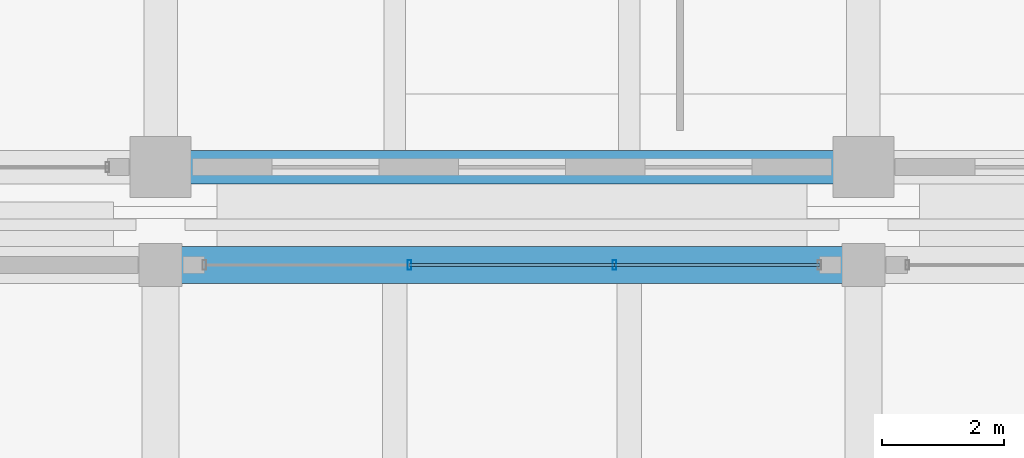
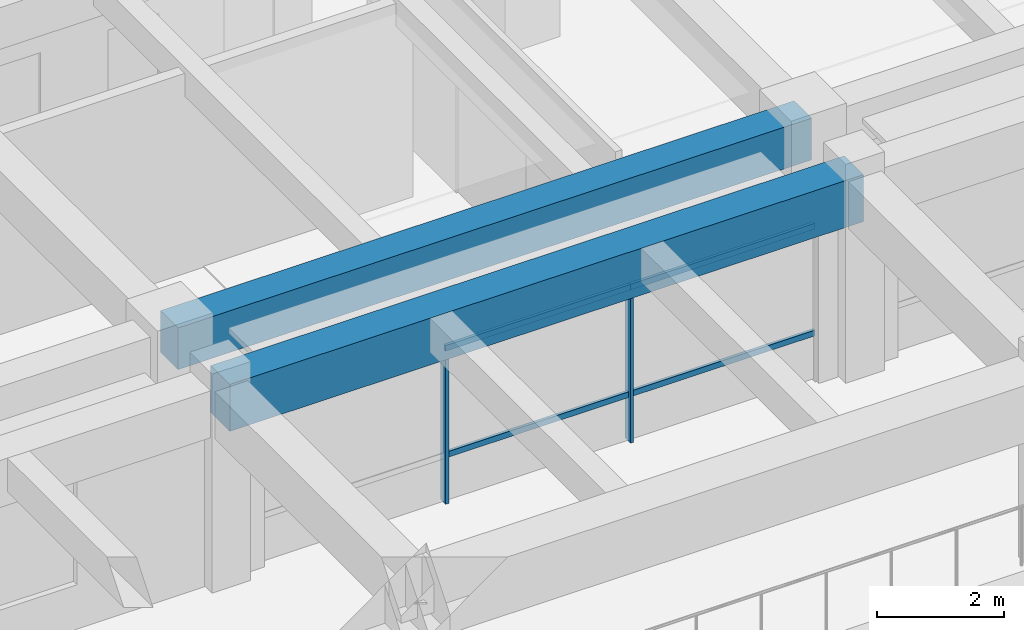
# One storey, part 25 of 98: 6 members, 2 beams, 1 element without a shape of its own.
"""IFC4 building model written with IfcOpenShell, lengths in metres."""

from ifc_helpers import new_model, si_unit, direction, frame, origin, origin_2d, place, context, subcontext, project, spatial, rectangle, hollow_rectangle, extrude, material, material_profile, profile_set, type_object, element, aggregate, save


model = new_model("IFC4")

# Units and contexts
model_context = context("Model", 3, precision=1e-05, world=origin(), true_north=direction((0.0, 1.0)))
body_context = subcontext(model_context, "Body", "Model", "MODEL_VIEW")
ifc_project = project(units=[si_unit("LENGTHUNIT", "METRE"), si_unit("AREAUNIT", "SQUARE_METRE"), si_unit("VOLUMEUNIT", "CUBIC_METRE"), si_unit("PLANEANGLEUNIT", "RADIAN"), si_unit("MASSUNIT", "GRAM", prefix="KILO")], contexts=[model_context])

# Site, building, storey
site_placement = place(None, origin())
site = spatial("IfcSite", under=ifc_project, at=site_placement, CompositionType="ELEMENT")
building_placement = place(site_placement, origin())
building = spatial("IfcBuilding", under=site, at=building_placement, Name="Ologun Quay Terminus", CompositionType="ELEMENT")
storey_placement = place(building_placement, frame((0.0, 0.0, 4.199951171875)))
storey = spatial("IfcBuildingStorey", under=building, at=storey_placement, Name="L01", CompositionType="ELEMENT", Elevation=4.199951171875)

# Curtain wall, members
ifc_material_1 = material(Name="Aluminium 6063-T6", Category="aluminium")
curtain_wall_type = type_object("IfcCurtainWallType", Name="Forecourt Mezzanine Curtain Wall 10700x3850", PredefinedType="USERDEFINED", material=ifc_material_1)
curtain_wall_placement = place(storey_placement, origin())
curtain_wall = element("IfcCurtainWall", 1, at=curtain_wall_placement, inside=storey, type_object=curtain_wall_type, Name="CW-04 Curtain Wall CW-L01-088", ObjectType="UNITISED CURTAIN WALL", PredefinedType="USERDEFINED")
ifc_material_2 = material(Name="Aluminium 6063-T6", Category="aluminium")
ifc_material_profile_1 = material_profile(ifc_material_2, hollow_rectangle(XDim=0.06005859375, YDim=0.159912109375, WallThickness=0.00390625, at=origin_2d()), Name="ALU 160x60x4")
ifc_profile_set_1 = profile_set([ifc_material_profile_1], Name="Aluminium 6063-T6")
member_type_1 = type_object("IfcMemberType", Name="Courtyard Screen Mullion 160x65", PredefinedType="MULLION", material=ifc_profile_set_1)
member_1_placement = place(storey_placement, frame((50.0732421875, 84.199951171875, 0.0), z_axis=(0.0, 0.0, 1.0), x_axis=(1.0, 0.0, 0.0)))
member_1 = element("IfcMember", 2, at=member_1_placement, type_object=member_type_1, Name="CW-L01-088 Mullion 2", PredefinedType="MULLION", context=body_context, shape_type="SweptSolid", body=[
    extrude(hollow_rectangle(XDim=0.06005859375, YDim=0.159912109375, WallThickness=0.00390625, at=origin_2d()), origin(), (0.0, 0.0, 1.0), 3.650146484375),
])
member_2_placement = place(storey_placement, frame((53.4267578125, 84.199951171875, 0.0), z_axis=(0.0, 0.0, 1.0), x_axis=(1.0, 0.0, 0.0)))
member_2 = element("IfcMember", 3, at=member_2_placement, type_object=member_type_1, Name="CW-L01-088 Mullion 3", PredefinedType="MULLION", context=body_context, shape_type="SweptSolid", body=[
    extrude(hollow_rectangle(XDim=0.06005859375, YDim=0.159912109375, WallThickness=0.00390625, at=origin_2d()), origin(), (0.0, 0.0, 1.0), 3.650146484375),
])
ifc_material_3 = material(Name="Aluminium 6063-T6", Category="aluminium")
ifc_material_profile_2 = material_profile(ifc_material_3, hollow_rectangle(XDim=0.054931640625, YDim=0.110107421875, WallThickness=0.00390625, at=origin_2d()), Name="ALU 110x55x4")
ifc_profile_set_2 = profile_set([ifc_material_profile_2], Name="Aluminium 6063-T6")
member_type_2 = type_object("IfcMemberType", Name="Courtyard Screen Transom 110x55", PredefinedType="USERDEFINED", material=ifc_profile_set_2)
member_3_placement = place(storey_placement, frame((50.0732421875, 84.199951171875, 0.900146484375), z_axis=(1.0, 0.0, 0.0), x_axis=(0.0, 1.0, 0.0)))
member_3 = element("IfcMember", 4, at=member_3_placement, type_object=member_type_2, Name="CW-L01-088 Transom B2-1", ObjectType="TRANSOM", PredefinedType="USERDEFINED", context=body_context, shape_type="SweptSolid", body=[
    extrude(hollow_rectangle(XDim=0.054931640625, YDim=0.110107421875, WallThickness=0.00390625, at=origin_2d()), origin(), (0.0, 0.0, 1.0), 3.353515625),
])
member_4_placement = place(storey_placement, frame((50.0732421875, 84.199951171875, 2.949951171875), z_axis=(1.0, 0.0, 0.0), x_axis=(0.0, 1.0, 0.0)))
member_4 = element("IfcMember", 5, at=member_4_placement, type_object=member_type_2, Name="CW-L01-088 Transom B2-2", ObjectType="TRANSOM", PredefinedType="USERDEFINED", context=body_context, shape_type="SweptSolid", body=[
    extrude(hollow_rectangle(XDim=0.054931640625, YDim=0.110107421875, WallThickness=0.00390625, at=origin_2d()), origin(), (0.0, 0.0, 1.0), 3.353515625),
])
member_5_placement = place(storey_placement, frame((53.4267578125, 84.199951171875, 0.900146484375), z_axis=(1.0, 0.0, 0.0), x_axis=(0.0, 1.0, 0.0)))
member_5 = element("IfcMember", 6, at=member_5_placement, type_object=member_type_2, Name="CW-L01-088 Transom B3-1", ObjectType="TRANSOM", PredefinedType="USERDEFINED", context=body_context, shape_type="SweptSolid", body=[
    extrude(hollow_rectangle(XDim=0.054931640625, YDim=0.110107421875, WallThickness=0.00390625, at=origin_2d()), origin(), (0.0, 0.0, 1.0), 3.353271484375),
])
member_6_placement = place(storey_placement, frame((53.4267578125, 84.199951171875, 2.949951171875), z_axis=(1.0, 0.0, 0.0), x_axis=(0.0, 1.0, 0.0)))
member_6 = element("IfcMember", 7, at=member_6_placement, type_object=member_type_2, Name="CW-L01-088 Transom B3-2", ObjectType="TRANSOM", PredefinedType="USERDEFINED", context=body_context, shape_type="SweptSolid", body=[
    extrude(hollow_rectangle(XDim=0.054931640625, YDim=0.110107421875, WallThickness=0.00390625, at=origin_2d()), origin(), (0.0, 0.0, 1.0), 3.353271484375),
])
aggregate(curtain_wall, [member_1, member_2, member_3, member_4, member_5, member_6])

# Beams
ifc_material_4 = material(Name="Concrete C40/50", Category="concrete")
ifc_material_profile_3 = material_profile(ifc_material_4, rectangle(XDim=0.550048828125, YDim=0.800048828125, at=origin_2d()), Name="RC 550x800")
ifc_profile_set_3 = profile_set([ifc_material_profile_3], Name="Concrete C40/50")
beam_type_1 = type_object("IfcBeamType", Name="Courtyard Wing Primary Girder 550x800", PredefinedType="BEAM", material=ifc_profile_set_3)
beam_1_placement = place(storey_placement, frame((46.0, 85.800048828125, 3.550048828125), z_axis=(1.0, 0.0, 0.0), x_axis=(0.0, 1.0, 0.0)))
element("IfcBeam", 8, at=beam_1_placement, inside=storey, type_object=beam_type_1, Name="B4 Beam 5/G2 L01", PredefinedType="BEAM", context=body_context, shape_type="SweptSolid", body=[
    extrude(rectangle(XDim=0.550048828125, YDim=0.800048828125, at=origin_2d()), origin(), (0.0, 0.0, 1.0), 11.5),
])
ifc_material_5 = material(Name="Concrete C40/50", Category="concrete")
ifc_material_profile_4 = material_profile(ifc_material_5, rectangle(XDim=0.60009765625, YDim=0.89990234375, at=origin_2d()), Name="RC 600x900")
ifc_profile_set_4 = profile_set([ifc_material_profile_4], Name="Concrete C40/50")
beam_type_2 = type_object("IfcBeamType", Name="Station Frame Girder 600x900", PredefinedType="BEAM", material=ifc_profile_set_4)
beam_2_placement = place(storey_placement, frame((46.0, 84.199951171875, 3.400146484375), z_axis=(1.0, 0.0, 0.0), x_axis=(0.0, 1.0, 0.0)))
element("IfcBeam", 9, at=beam_2_placement, inside=storey, type_object=beam_type_2, Name="B3 Beam 5/G1 L01", PredefinedType="BEAM", context=body_context, shape_type="SweptSolid", body=[
    extrude(rectangle(XDim=0.60009765625, YDim=0.89990234375, at=origin_2d()), origin(), (0.0, 0.0, 1.0), 11.5),
])

save(model, "model.ifc")
